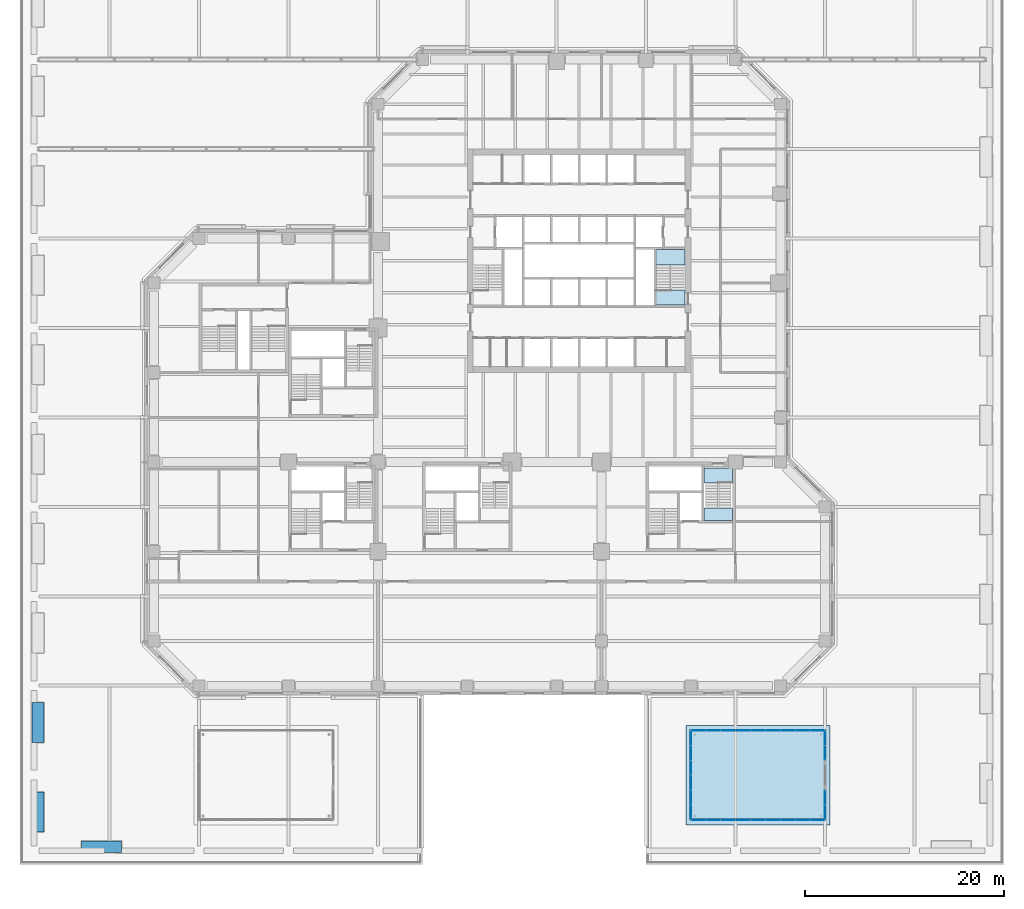
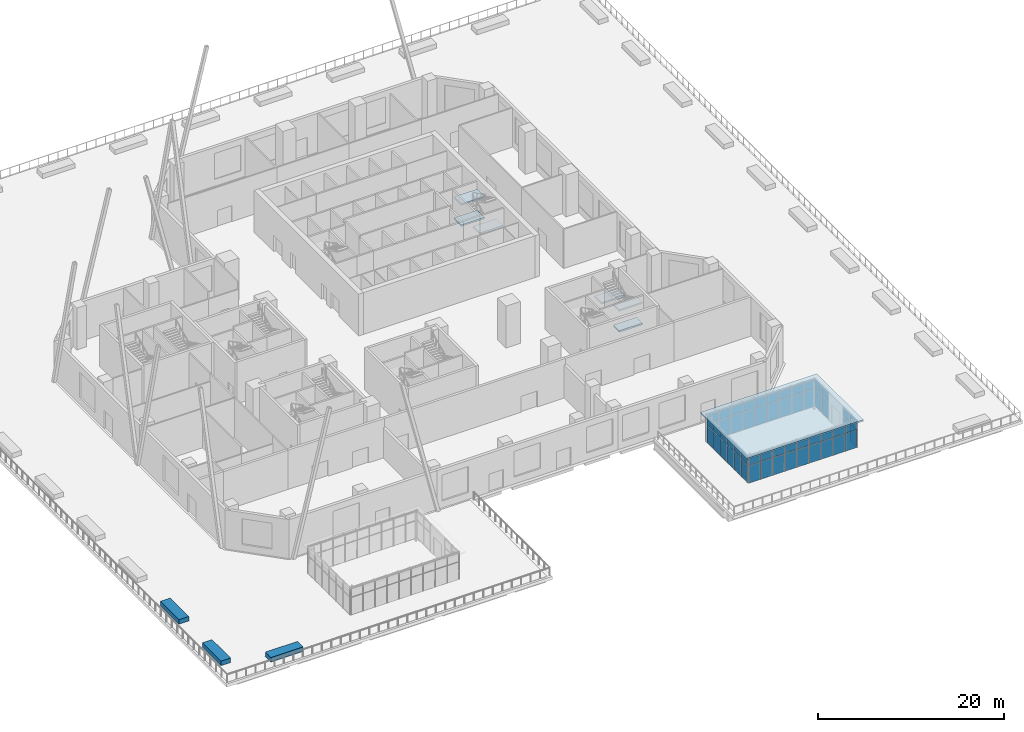
# One storey, part 19 of 33: 56 plates, 7 slabs, 3 walls, 7 elements without a shape of their own.
"""IFC4 building model written with IfcOpenShell, lengths in metres."""

import ifcopenshell
import ifcopenshell.guid

model = None  # the IFC model being written
_history = None  # IfcOwnerHistory: only IFC2X3 demands one
_inside = {}  # id of a spatial element -> (the spatial element, [elements in it])
_under = {}  # id of a project, library or spatial element -> (it, [spatial elements below it])
_declared = {}  # id of a project -> (the project, [libraries it declares])
_typed = {}  # id of a type object -> (the type object, [elements of that type])
_made_of = {}  # id of a material, layer set ... -> (it, [elements and type objects made of it])


def new_model(schema):
    """Start an empty IFC model of exactly this schema.

    Asked for "IFC4X3", IfcOpenShell would pick the latest addendum, in which some entities
    have other attributes; the version numbers below select the first issue.
    IFC2X3 requires an IfcOwnerHistory on every rooted entity: one is made here for all.
    """
    global model, _history
    if schema == "IFC4X3":
        model = ifcopenshell.file(schema_version=(4, 3, 0, 0))
    else:
        model = ifcopenshell.file(schema=schema)
    _inside.clear()
    _under.clear()
    _declared.clear()
    _typed.clear()
    _made_of.clear()
    _history = None
    if model.schema == "IFC2X3":
        org = make("IfcOrganization", Name="unknown")
        user = make(
            "IfcPersonAndOrganization",
            ThePerson=make("IfcPerson", FamilyName="unknown"),
            TheOrganization=org,
        )
        app = make(
            "IfcApplication",
            ApplicationDeveloper=org,
            Version="unknown",
            ApplicationFullName="unknown",
            ApplicationIdentifier="unknown",
        )
        _history = make(
            "IfcOwnerHistory",
            OwningUser=user,
            OwningApplication=app,
            ChangeAction="ADDED",
            CreationDate=0,
        )
    return model


def make(cls, **values):
    """One entity of the class cls with the attributes given. An attribute that is None is left unset."""
    return model.create_entity(
        cls, **{name: value for name, value in values.items() if value is not None}
    )


def rooted(cls, **values):
    """An entity with a GlobalId (a new one), such as an element, a storey or a relation."""
    return make(cls, GlobalId=ifcopenshell.guid.new(), OwnerHistory=_history, **values)


def si_unit(unit_type, name, prefix=None):
    """IfcSIUnit, for example si_unit("LENGTHUNIT", "METRE", prefix="MILLI")."""
    return make("IfcSIUnit", UnitType=unit_type, Prefix=prefix, Name=name)


def assignment(units):
    """IfcUnitAssignment: the units of a project."""
    return None if units is None else make("IfcUnitAssignment", Units=units)


def point(xyz):
    """IfcCartesianPoint."""
    return None if xyz is None else make("IfcCartesianPoint", Coordinates=xyz)


def direction(xyz):
    """IfcDirection."""
    return None if xyz is None else make("IfcDirection", DirectionRatios=xyz)


def frame(location, z_axis=None, x_axis=None):
    """IfcAxis2Placement3D, a coordinate frame: its origin and axes. An axis left out is left unset."""
    return make(
        "IfcAxis2Placement3D",
        Location=point(location),
        Axis=direction(z_axis),
        RefDirection=direction(x_axis),
    )


def frame_2d(location, x_axis=None):
    """IfcAxis2Placement2D, a coordinate frame in the plane: its origin and x axis."""
    return make(
        "IfcAxis2Placement2D", Location=point(location), RefDirection=direction(x_axis)
    )


def origin():
    """The frame at (0, 0, 0) with its axes left unset."""
    return frame((0.0, 0.0, 0.0))


def origin_2d():
    """The frame at (0, 0) in the plane with its x axis left unset."""
    return frame_2d((0.0, 0.0))


def place(relative_to, where):
    """IfcLocalPlacement: puts the frame where relative to a parent placement (None: the world)."""
    return make(
        "IfcLocalPlacement", PlacementRelTo=relative_to, RelativePlacement=where
    )


def context(
    kind, dimensions, precision=None, world=None, true_north=None, identifier=None
):
    """IfcGeometricRepresentationContext, for example the 3D "Model" context."""
    return make(
        "IfcGeometricRepresentationContext",
        ContextIdentifier=identifier,
        ContextType=kind,
        CoordinateSpaceDimension=dimensions,
        Precision=precision,
        WorldCoordinateSystem=world,
        TrueNorth=true_north,
    )


def subcontext(parent, identifier, kind, view, scale=None):
    """IfcGeometricRepresentationSubContext, for example "Body" below "Model"."""
    return make(
        "IfcGeometricRepresentationSubContext",
        ContextIdentifier=identifier,
        ContextType=kind,
        ParentContext=parent,
        TargetScale=scale,
        TargetView=view,
    )


def project(units=None, contexts=None):
    """IfcProject with its units and contexts."""
    return rooted(
        "IfcProject",
        Name="project",
        RepresentationContexts=contexts,
        UnitsInContext=assignment(units),
    )


def spatial(cls, under=None, at=None, **own):
    """A site, building, storey or space (cls), placed at a placement, below another one or the project."""
    s = rooted(cls, ObjectPlacement=at, **own)
    if under is not None:
        _under.setdefault(under.id(), (under, []))[1].append(s)
    return s


def polyline(points):
    """IfcPolyline through the points."""
    return make("IfcPolyline", Points=[point(p) for p in points])


def profile(cls, at=None, kind="AREA", **sizes):
    """A parametric profile (cls). Its sizes go by their IFC names, for example OverallWidth=200.0."""
    return make(cls, ProfileType=kind, Position=at, **sizes)


def rectangle(**sizes):
    """IfcRectangleProfileDef."""
    return profile("IfcRectangleProfileDef", **sizes)


def outline(outer, holes=None, kind="AREA"):
    """IfcArbitraryClosedProfileDef: a profile drawn as a closed curve; with holes, ...WithVoids."""
    if holes is None:
        return make("IfcArbitraryClosedProfileDef", ProfileType=kind, OuterCurve=outer)
    return make(
        "IfcArbitraryProfileDefWithVoids",
        ProfileType=kind,
        OuterCurve=outer,
        InnerCurves=holes,
    )


def extrude(swept, where, along, depth):
    """IfcExtrudedAreaSolid: the profile swept, set in the frame where, extruded along a direction by depth."""
    return make(
        "IfcExtrudedAreaSolid",
        SweptArea=swept,
        Position=where,
        ExtrudedDirection=direction(along),
        Depth=depth,
    )


def shape(context_of_items, identifier, shape_type, items):
    """IfcShapeRepresentation: the items that make up one representation, for example the "Body"."""
    return make(
        "IfcShapeRepresentation",
        ContextOfItems=context_of_items,
        RepresentationIdentifier=identifier,
        RepresentationType=shape_type,
        Items=items,
    )


def material(Name=None, Category=None):
    """IfcMaterial."""
    return make("IfcMaterial", Name=Name, Category=Category)


def layer(
    of_material, thickness, ventilated=None, Name=None, Category=None, Priority=None
):
    """IfcMaterialLayer: one layer of a wall or slab, of a material (None: an air gap)."""
    return make(
        "IfcMaterialLayer",
        Material=of_material,
        LayerThickness=thickness,
        IsVentilated=ventilated,
        Name=Name,
        Category=Category,
        Priority=Priority,
    )


def layer_set(layers, Name=None):
    """IfcMaterialLayerSet."""
    return make("IfcMaterialLayerSet", MaterialLayers=layers, LayerSetName=Name)


def constituent(of_material, Name=None, Category=None, fraction=None):
    """IfcMaterialConstituent: one of the materials an element consists of."""
    return make(
        "IfcMaterialConstituent",
        Name=Name,
        Material=of_material,
        Fraction=fraction,
        Category=Category,
    )


def constituent_set(constituents=None, Name=None):
    """IfcMaterialConstituentSet."""
    return make(
        "IfcMaterialConstituentSet", Name=Name, MaterialConstituents=constituents
    )


def made_of(thing, what):
    """Note that an element or type object is made of a material, layer set ...; save() writes the relation."""
    if what is not None:
        _made_of.setdefault(what.id(), (what, []))[1].append(thing)
    return thing


def type_object(cls, material=None, **own):
    """A type object (cls), such as IfcWallType, which elements share."""
    return made_of(rooted(cls, **own), material)


def element(
    cls,
    number,
    at=None,
    inside=None,
    cuts=None,
    type_object=None,
    material=None,
    context=None,
    identifier="Body",
    shape_type=None,
    held_by="IfcProductDefinitionShape",
    body=None,
    shapes=None,
    **own,
):
    """One element of the class cls, such as IfcWall. Its Tag is "e" and its number.

    at: its placement. inside: the storey or other place that contains it. cuts: it is an
    opening in that element (IfcRelVoidsElement). A single representation is given by context,
    identifier, shape_type and body (its items); several are given by shapes. held_by: the class
    of the entity that holds the representations. save() writes the other relations.
    """
    e = rooted(cls, Tag="e%d" % number, ObjectPlacement=at, **own)
    if body is not None:
        shapes = [shape(context, identifier, shape_type, body)]
    if shapes is not None:
        e.Representation = make(held_by, Representations=shapes)
    if inside is not None:
        _inside.setdefault(inside.id(), (inside, []))[1].append(e)
    if cuts is not None:
        rooted(
            "IfcRelVoidsElement", RelatingBuildingElement=cuts, RelatedOpeningElement=e
        )
    if type_object is not None:
        _typed.setdefault(type_object.id(), (type_object, []))[1].append(e)
    return made_of(e, material)


def aggregate(whole, parts):
    """IfcRelAggregates: a whole, such as a stair, and the parts it consists of."""
    return rooted("IfcRelAggregates", RelatingObject=whole, RelatedObjects=parts)


def save(model, path):
    """Write the relations noted so far, then the file.

    IfcRelAggregates (storeys below a building ...), IfcRelContainedInSpatialStructure (elements
    in a storey), IfcRelDefinesByType, IfcRelAssociatesMaterial and IfcRelDeclares: one each for
    every whole, place, type object, material and project.
    """
    for whole, parts in _under.values():
        aggregate(whole, parts)
    for where, things in _inside.values():
        rooted(
            "IfcRelContainedInSpatialStructure",
            RelatedElements=things,
            RelatingStructure=where,
        )
    for kind, things in _typed.values():
        rooted("IfcRelDefinesByType", RelatedObjects=things, RelatingType=kind)
    for what, things in _made_of.values():
        rooted("IfcRelAssociatesMaterial", RelatedObjects=things, RelatingMaterial=what)
    for by, libraries in _declared.values():
        rooted("IfcRelDeclares", RelatingContext=by, RelatedDefinitions=libraries)
    model.write(path)


model = new_model("IFC4")

# Units and contexts
model_context = context("Model", 3, precision=1e-05, world=origin(), true_north=direction((0.0, 1.0)))
body_context = subcontext(model_context, "Body", "Model", "MODEL_VIEW")
ifc_project = project(units=[si_unit("LENGTHUNIT", "METRE"), si_unit("AREAUNIT", "SQUARE_METRE"), si_unit("VOLUMEUNIT", "CUBIC_METRE"), si_unit("PLANEANGLEUNIT", "RADIAN"), si_unit("MASSUNIT", "GRAM", prefix="KILO")], contexts=[model_context])

# Site, building, storey
site_placement = place(None, origin())
site = spatial("IfcSite", under=ifc_project, at=site_placement, CompositionType="ELEMENT")
building_placement = place(site_placement, origin())
building = spatial("IfcBuilding", under=site, at=building_placement, Name="Quoin Convention Tower", CompositionType="ELEMENT")
storey_placement = place(building_placement, frame((0.0, 0.0, 8.0)))
storey = spatial("IfcBuildingStorey", under=building, at=storey_placement, Name="L01", CompositionType="ELEMENT", Elevation=8.0)

# Curtain wall, plates
ifc_material_1 = material(Name="Aluminium", Category="aluminium")
ifc_constituent_1 = constituent(ifc_material_1, Name="Frame")
ifc_material_2 = material(Name="Insulated glass", Category="glass")
ifc_constituent_2 = constituent(ifc_material_2, Name="Glazing")
ifc_constituent_set = constituent_set(constituents=[ifc_constituent_1, ifc_constituent_2], Name="Aluminium")
curtain_wall_type = type_object("IfcCurtainWallType", Name="Garden pavilion glazing system", PredefinedType="NOTDEFINED", material=ifc_constituent_set)
curtain_wall_1_placement = place(storey_placement, origin())
curtain_wall_1 = element("IfcCurtainWall", 1, at=curtain_wall_1_placement, inside=storey, type_object=curtain_wall_type, Name="cw-PAV-E0-81000_4500", PredefinedType="NOTDEFINED")
ifc_layer_1 = layer(ifc_material_2, 0.031982421875)
ifc_layer_set_1 = layer_set([ifc_layer_1], Name="Insulated glass")
plate_type = type_object("IfcPlateType", Name="Garden pavilion glazing glazing unit 32", PredefinedType="CURTAIN_PANEL", material=ifc_layer_set_1)
plate_1_placement = place(storey_placement, frame((81.0, 5.262451171875, 0.0400390625), z_axis=(0.0, 0.0, 1.0), x_axis=(0.0, 1.0, 0.0)))
plate_1 = element("IfcPlate", 2, at=plate_1_placement, type_object=plate_type, Name="CW4 panel 1.1", PredefinedType="CURTAIN_PANEL", context=body_context, shape_type="SweptSolid", body=[
    extrude(rectangle(XDim=1.425048828125, YDim=0.031982421875, at=origin_2d()), origin(), (0.0, 0.0, 1.0), 2.340087890625),
])
plate_2_placement = place(storey_placement, frame((81.0, 5.262451171875, 2.419921875), z_axis=(0.0, 0.0, 1.0), x_axis=(0.0, 1.0, 0.0)))
plate_2 = element("IfcPlate", 3, at=plate_2_placement, type_object=plate_type, Name="CW4 panel 1.2", PredefinedType="CURTAIN_PANEL", context=body_context, shape_type="SweptSolid", body=[
    extrude(rectangle(XDim=1.425048828125, YDim=0.031982421875, at=origin_2d()), origin(), (0.0, 0.0, 1.0), 1.139892578125),
])
plate_3_placement = place(storey_placement, frame((81.0, 6.737548828125, 0.0400390625), z_axis=(0.0, 0.0, 1.0), x_axis=(0.0, 1.0, 0.0)))
plate_3 = element("IfcPlate", 4, at=plate_3_placement, type_object=plate_type, Name="CW4 panel 2.1", PredefinedType="CURTAIN_PANEL", context=body_context, shape_type="SweptSolid", body=[
    extrude(rectangle(XDim=1.425048828125, YDim=0.031982421875, at=origin_2d()), origin(), (0.0, 0.0, 1.0), 2.340087890625),
])
plate_4_placement = place(storey_placement, frame((81.0, 6.737548828125, 2.419921875), z_axis=(0.0, 0.0, 1.0), x_axis=(0.0, 1.0, 0.0)))
plate_4 = element("IfcPlate", 5, at=plate_4_placement, type_object=plate_type, Name="CW4 panel 2.2", PredefinedType="CURTAIN_PANEL", context=body_context, shape_type="SweptSolid", body=[
    extrude(rectangle(XDim=1.425048828125, YDim=0.031982421875, at=origin_2d()), origin(), (0.0, 0.0, 1.0), 1.139892578125),
])
aggregate(curtain_wall_1, [plate_1, plate_2, plate_3, plate_4])

curtain_wall_2_placement = place(storey_placement, origin())
curtain_wall_2 = element("IfcCurtainWall", 6, at=curtain_wall_2_placement, inside=storey, type_object=curtain_wall_type, Name="cw-PAV-E0-81000_10500", PredefinedType="NOTDEFINED")
plate_5_placement = place(storey_placement, frame((81.0, 11.262451171875, 0.0400390625), z_axis=(0.0, 0.0, 1.0), x_axis=(0.0, 1.0, 0.0)))
plate_5 = element("IfcPlate", 7, at=plate_5_placement, type_object=plate_type, Name="CW4 panel 1.1", PredefinedType="CURTAIN_PANEL", context=body_context, shape_type="SweptSolid", body=[
    extrude(rectangle(XDim=1.425048828125, YDim=0.031982421875, at=origin_2d()), origin(), (0.0, 0.0, 1.0), 2.340087890625),
])
plate_6_placement = place(storey_placement, frame((81.0, 11.262451171875, 2.419921875), z_axis=(0.0, 0.0, 1.0), x_axis=(0.0, 1.0, 0.0)))
plate_6 = element("IfcPlate", 8, at=plate_6_placement, type_object=plate_type, Name="CW4 panel 1.2", PredefinedType="CURTAIN_PANEL", context=body_context, shape_type="SweptSolid", body=[
    extrude(rectangle(XDim=1.425048828125, YDim=0.031982421875, at=origin_2d()), origin(), (0.0, 0.0, 1.0), 1.139892578125),
])
plate_7_placement = place(storey_placement, frame((81.0, 12.737548828125, 0.0400390625), z_axis=(0.0, 0.0, 1.0), x_axis=(0.0, 1.0, 0.0)))
plate_7 = element("IfcPlate", 9, at=plate_7_placement, type_object=plate_type, Name="CW4 panel 2.1", PredefinedType="CURTAIN_PANEL", context=body_context, shape_type="SweptSolid", body=[
    extrude(rectangle(XDim=1.425048828125, YDim=0.031982421875, at=origin_2d()), origin(), (0.0, 0.0, 1.0), 2.340087890625),
])
plate_8_placement = place(storey_placement, frame((81.0, 12.737548828125, 2.419921875), z_axis=(0.0, 0.0, 1.0), x_axis=(0.0, 1.0, 0.0)))
plate_8 = element("IfcPlate", 10, at=plate_8_placement, type_object=plate_type, Name="CW4 panel 2.2", PredefinedType="CURTAIN_PANEL", context=body_context, shape_type="SweptSolid", body=[
    extrude(rectangle(XDim=1.425048828125, YDim=0.031982421875, at=origin_2d()), origin(), (0.0, 0.0, 1.0), 1.139892578125),
])
aggregate(curtain_wall_2, [plate_5, plate_6, plate_7, plate_8])

curtain_wall_3_placement = place(storey_placement, origin())
curtain_wall_3 = element("IfcCurtainWall", 11, at=curtain_wall_3_placement, inside=storey, type_object=curtain_wall_type, Name="cw-PAV-E1-81000_13500", PredefinedType="NOTDEFINED")
plate_9_placement = place(storey_placement, frame((80.237548828125, 13.5, 0.0400390625), z_axis=(0.0, 0.0, 1.0), x_axis=(-1.0, 0.0, 0.0)))
plate_9 = element("IfcPlate", 12, at=plate_9_placement, type_object=plate_type, Name="CW4 panel 1.1", PredefinedType="CURTAIN_PANEL", context=body_context, shape_type="SweptSolid", body=[
    extrude(rectangle(XDim=1.425048828125, YDim=0.031982421875, at=origin_2d()), origin(), (0.0, 0.0, 1.0), 2.340087890625),
])
plate_10_placement = place(storey_placement, frame((80.237548828125, 13.5, 2.419921875), z_axis=(0.0, 0.0, 1.0), x_axis=(-1.0, 0.0, 0.0)))
plate_10 = element("IfcPlate", 13, at=plate_10_placement, type_object=plate_type, Name="CW4 panel 1.2", PredefinedType="CURTAIN_PANEL", context=body_context, shape_type="SweptSolid", body=[
    extrude(rectangle(XDim=1.425048828125, YDim=0.031982421875, at=origin_2d()), origin(), (0.0, 0.0, 1.0), 1.139892578125),
])
plate_11_placement = place(storey_placement, frame((78.75, 13.5, 0.0400390625), z_axis=(0.0, 0.0, 1.0), x_axis=(-1.0, 0.0, 0.0)))
plate_11 = element("IfcPlate", 14, at=plate_11_placement, type_object=plate_type, Name="CW4 panel 2.1", PredefinedType="CURTAIN_PANEL", context=body_context, shape_type="SweptSolid", body=[
    extrude(rectangle(XDim=1.449951171875, YDim=0.031982421875, at=origin_2d()), origin(), (0.0, 0.0, 1.0), 2.340087890625),
])
plate_12_placement = place(storey_placement, frame((78.75, 13.5, 2.419921875), z_axis=(0.0, 0.0, 1.0), x_axis=(-1.0, 0.0, 0.0)))
plate_12 = element("IfcPlate", 15, at=plate_12_placement, type_object=plate_type, Name="CW4 panel 2.2", PredefinedType="CURTAIN_PANEL", context=body_context, shape_type="SweptSolid", body=[
    extrude(rectangle(XDim=1.449951171875, YDim=0.031982421875, at=origin_2d()), origin(), (0.0, 0.0, 1.0), 1.139892578125),
])
plate_13_placement = place(storey_placement, frame((77.25, 13.5, 0.0400390625), z_axis=(0.0, 0.0, 1.0), x_axis=(-1.0, 0.0, 0.0)))
plate_13 = element("IfcPlate", 16, at=plate_13_placement, type_object=plate_type, Name="CW4 panel 3.1", PredefinedType="CURTAIN_PANEL", context=body_context, shape_type="SweptSolid", body=[
    extrude(rectangle(XDim=1.449951171875, YDim=0.031982421875, at=origin_2d()), origin(), (0.0, 0.0, 1.0), 2.340087890625),
])
plate_14_placement = place(storey_placement, frame((77.25, 13.5, 2.419921875), z_axis=(0.0, 0.0, 1.0), x_axis=(-1.0, 0.0, 0.0)))
plate_14 = element("IfcPlate", 17, at=plate_14_placement, type_object=plate_type, Name="CW4 panel 3.2", PredefinedType="CURTAIN_PANEL", context=body_context, shape_type="SweptSolid", body=[
    extrude(rectangle(XDim=1.449951171875, YDim=0.031982421875, at=origin_2d()), origin(), (0.0, 0.0, 1.0), 1.139892578125),
])
plate_15_placement = place(storey_placement, frame((75.75, 13.5, 0.0400390625), z_axis=(0.0, 0.0, 1.0), x_axis=(-1.0, 0.0, 0.0)))
plate_15 = element("IfcPlate", 18, at=plate_15_placement, type_object=plate_type, Name="CW4 panel 4.1", PredefinedType="CURTAIN_PANEL", context=body_context, shape_type="SweptSolid", body=[
    extrude(rectangle(XDim=1.449951171875, YDim=0.031982421875, at=origin_2d()), origin(), (0.0, 0.0, 1.0), 2.340087890625),
])
plate_16_placement = place(storey_placement, frame((75.75, 13.5, 2.419921875), z_axis=(0.0, 0.0, 1.0), x_axis=(-1.0, 0.0, 0.0)))
plate_16 = element("IfcPlate", 19, at=plate_16_placement, type_object=plate_type, Name="CW4 panel 4.2", PredefinedType="CURTAIN_PANEL", context=body_context, shape_type="SweptSolid", body=[
    extrude(rectangle(XDim=1.449951171875, YDim=0.031982421875, at=origin_2d()), origin(), (0.0, 0.0, 1.0), 1.139892578125),
])
plate_17_placement = place(storey_placement, frame((74.25, 13.5, 0.0400390625), z_axis=(0.0, 0.0, 1.0), x_axis=(-1.0, 0.0, 0.0)))
plate_17 = element("IfcPlate", 20, at=plate_17_placement, type_object=plate_type, Name="CW4 panel 5.1", PredefinedType="CURTAIN_PANEL", context=body_context, shape_type="SweptSolid", body=[
    extrude(rectangle(XDim=1.449951171875, YDim=0.031982421875, at=origin_2d()), origin(), (0.0, 0.0, 1.0), 2.340087890625),
])
plate_18_placement = place(storey_placement, frame((74.25, 13.5, 2.419921875), z_axis=(0.0, 0.0, 1.0), x_axis=(-1.0, 0.0, 0.0)))
plate_18 = element("IfcPlate", 21, at=plate_18_placement, type_object=plate_type, Name="CW4 panel 5.2", PredefinedType="CURTAIN_PANEL", context=body_context, shape_type="SweptSolid", body=[
    extrude(rectangle(XDim=1.449951171875, YDim=0.031982421875, at=origin_2d()), origin(), (0.0, 0.0, 1.0), 1.139892578125),
])
plate_19_placement = place(storey_placement, frame((72.75, 13.5, 0.0400390625), z_axis=(0.0, 0.0, 1.0), x_axis=(-1.0, 0.0, 0.0)))
plate_19 = element("IfcPlate", 22, at=plate_19_placement, type_object=plate_type, Name="CW4 panel 6.1", PredefinedType="CURTAIN_PANEL", context=body_context, shape_type="SweptSolid", body=[
    extrude(rectangle(XDim=1.449951171875, YDim=0.031982421875, at=origin_2d()), origin(), (0.0, 0.0, 1.0), 2.340087890625),
])
plate_20_placement = place(storey_placement, frame((72.75, 13.5, 2.419921875), z_axis=(0.0, 0.0, 1.0), x_axis=(-1.0, 0.0, 0.0)))
plate_20 = element("IfcPlate", 23, at=plate_20_placement, type_object=plate_type, Name="CW4 panel 6.2", PredefinedType="CURTAIN_PANEL", context=body_context, shape_type="SweptSolid", body=[
    extrude(rectangle(XDim=1.449951171875, YDim=0.031982421875, at=origin_2d()), origin(), (0.0, 0.0, 1.0), 1.139892578125),
])
plate_21_placement = place(storey_placement, frame((71.25, 13.5, 0.0400390625), z_axis=(0.0, 0.0, 1.0), x_axis=(-1.0, 0.0, 0.0)))
plate_21 = element("IfcPlate", 24, at=plate_21_placement, type_object=plate_type, Name="CW4 panel 7.1", PredefinedType="CURTAIN_PANEL", context=body_context, shape_type="SweptSolid", body=[
    extrude(rectangle(XDim=1.449951171875, YDim=0.031982421875, at=origin_2d()), origin(), (0.0, 0.0, 1.0), 2.340087890625),
])
plate_22_placement = place(storey_placement, frame((71.25, 13.5, 2.419921875), z_axis=(0.0, 0.0, 1.0), x_axis=(-1.0, 0.0, 0.0)))
plate_22 = element("IfcPlate", 25, at=plate_22_placement, type_object=plate_type, Name="CW4 panel 7.2", PredefinedType="CURTAIN_PANEL", context=body_context, shape_type="SweptSolid", body=[
    extrude(rectangle(XDim=1.449951171875, YDim=0.031982421875, at=origin_2d()), origin(), (0.0, 0.0, 1.0), 1.139892578125),
])
plate_23_placement = place(storey_placement, frame((69.75, 13.5, 0.0400390625), z_axis=(0.0, 0.0, 1.0), x_axis=(-1.0, 0.0, 0.0)))
plate_23 = element("IfcPlate", 26, at=plate_23_placement, type_object=plate_type, Name="CW4 panel 8.1", PredefinedType="CURTAIN_PANEL", context=body_context, shape_type="SweptSolid", body=[
    extrude(rectangle(XDim=1.449951171875, YDim=0.031982421875, at=origin_2d()), origin(), (0.0, 0.0, 1.0), 2.340087890625),
])
plate_24_placement = place(storey_placement, frame((69.75, 13.5, 2.419921875), z_axis=(0.0, 0.0, 1.0), x_axis=(-1.0, 0.0, 0.0)))
plate_24 = element("IfcPlate", 27, at=plate_24_placement, type_object=plate_type, Name="CW4 panel 8.2", PredefinedType="CURTAIN_PANEL", context=body_context, shape_type="SweptSolid", body=[
    extrude(rectangle(XDim=1.449951171875, YDim=0.031982421875, at=origin_2d()), origin(), (0.0, 0.0, 1.0), 1.139892578125),
])
plate_25_placement = place(storey_placement, frame((68.262451171875, 13.5, 0.0400390625), z_axis=(0.0, 0.0, 1.0), x_axis=(-1.0, 0.0, 0.0)))
plate_25 = element("IfcPlate", 28, at=plate_25_placement, type_object=plate_type, Name="CW4 panel 9.1", PredefinedType="CURTAIN_PANEL", context=body_context, shape_type="SweptSolid", body=[
    extrude(rectangle(XDim=1.425048828125, YDim=0.031982421875, at=origin_2d()), origin(), (0.0, 0.0, 1.0), 2.340087890625),
])
plate_26_placement = place(storey_placement, frame((68.262451171875, 13.5, 2.419921875), z_axis=(0.0, 0.0, 1.0), x_axis=(-1.0, 0.0, 0.0)))
plate_26 = element("IfcPlate", 29, at=plate_26_placement, type_object=plate_type, Name="CW4 panel 9.2", PredefinedType="CURTAIN_PANEL", context=body_context, shape_type="SweptSolid", body=[
    extrude(rectangle(XDim=1.425048828125, YDim=0.031982421875, at=origin_2d()), origin(), (0.0, 0.0, 1.0), 1.139892578125),
])
aggregate(curtain_wall_3, [plate_9, plate_10, plate_11, plate_12, plate_13, plate_14, plate_15, plate_16, plate_17, plate_18, plate_19, plate_20, plate_21, plate_22, plate_23, plate_24, plate_25, plate_26])

curtain_wall_4_placement = place(storey_placement, origin())
curtain_wall_4 = element("IfcCurtainWall", 30, at=curtain_wall_4_placement, inside=storey, type_object=curtain_wall_type, Name="cw-PAV-E2-67500_13500", PredefinedType="NOTDEFINED")
plate_27_placement = place(storey_placement, frame((67.5, 12.737548828125, 0.0400390625), z_axis=(0.0, 0.0, 1.0), x_axis=(0.0, -1.0, 0.0)))
plate_27 = element("IfcPlate", 31, at=plate_27_placement, type_object=plate_type, Name="CW4 panel 1.1", PredefinedType="CURTAIN_PANEL", context=body_context, shape_type="SweptSolid", body=[
    extrude(rectangle(XDim=1.425048828125, YDim=0.031982421875, at=origin_2d()), origin(), (0.0, 0.0, 1.0), 2.340087890625),
])
plate_28_placement = place(storey_placement, frame((67.5, 12.737548828125, 2.419921875), z_axis=(0.0, 0.0, 1.0), x_axis=(0.0, -1.0, 0.0)))
plate_28 = element("IfcPlate", 32, at=plate_28_placement, type_object=plate_type, Name="CW4 panel 1.2", PredefinedType="CURTAIN_PANEL", context=body_context, shape_type="SweptSolid", body=[
    extrude(rectangle(XDim=1.425048828125, YDim=0.031982421875, at=origin_2d()), origin(), (0.0, 0.0, 1.0), 1.139892578125),
])
plate_29_placement = place(storey_placement, frame((67.5, 11.25, 0.0400390625), z_axis=(0.0, 0.0, 1.0), x_axis=(0.0, -1.0, 0.0)))
plate_29 = element("IfcPlate", 33, at=plate_29_placement, type_object=plate_type, Name="CW4 panel 2.1", PredefinedType="CURTAIN_PANEL", context=body_context, shape_type="SweptSolid", body=[
    extrude(rectangle(XDim=1.449951171875, YDim=0.031982421875, at=origin_2d()), origin(), (0.0, 0.0, 1.0), 2.340087890625),
])
plate_30_placement = place(storey_placement, frame((67.5, 11.25, 2.419921875), z_axis=(0.0, 0.0, 1.0), x_axis=(0.0, -1.0, 0.0)))
plate_30 = element("IfcPlate", 34, at=plate_30_placement, type_object=plate_type, Name="CW4 panel 2.2", PredefinedType="CURTAIN_PANEL", context=body_context, shape_type="SweptSolid", body=[
    extrude(rectangle(XDim=1.449951171875, YDim=0.031982421875, at=origin_2d()), origin(), (0.0, 0.0, 1.0), 1.139892578125),
])
plate_31_placement = place(storey_placement, frame((67.5, 9.75, 0.0400390625), z_axis=(0.0, 0.0, 1.0), x_axis=(0.0, -1.0, 0.0)))
plate_31 = element("IfcPlate", 35, at=plate_31_placement, type_object=plate_type, Name="CW4 panel 3.1", PredefinedType="CURTAIN_PANEL", context=body_context, shape_type="SweptSolid", body=[
    extrude(rectangle(XDim=1.449951171875, YDim=0.031982421875, at=origin_2d()), origin(), (0.0, 0.0, 1.0), 2.340087890625),
])
plate_32_placement = place(storey_placement, frame((67.5, 9.75, 2.419921875), z_axis=(0.0, 0.0, 1.0), x_axis=(0.0, -1.0, 0.0)))
plate_32 = element("IfcPlate", 36, at=plate_32_placement, type_object=plate_type, Name="CW4 panel 3.2", PredefinedType="CURTAIN_PANEL", context=body_context, shape_type="SweptSolid", body=[
    extrude(rectangle(XDim=1.449951171875, YDim=0.031982421875, at=origin_2d()), origin(), (0.0, 0.0, 1.0), 1.139892578125),
])
plate_33_placement = place(storey_placement, frame((67.5, 8.25, 0.0400390625), z_axis=(0.0, 0.0, 1.0), x_axis=(0.0, -1.0, 0.0)))
plate_33 = element("IfcPlate", 37, at=plate_33_placement, type_object=plate_type, Name="CW4 panel 4.1", PredefinedType="CURTAIN_PANEL", context=body_context, shape_type="SweptSolid", body=[
    extrude(rectangle(XDim=1.449951171875, YDim=0.031982421875, at=origin_2d()), origin(), (0.0, 0.0, 1.0), 2.340087890625),
])
plate_34_placement = place(storey_placement, frame((67.5, 8.25, 2.419921875), z_axis=(0.0, 0.0, 1.0), x_axis=(0.0, -1.0, 0.0)))
plate_34 = element("IfcPlate", 38, at=plate_34_placement, type_object=plate_type, Name="CW4 panel 4.2", PredefinedType="CURTAIN_PANEL", context=body_context, shape_type="SweptSolid", body=[
    extrude(rectangle(XDim=1.449951171875, YDim=0.031982421875, at=origin_2d()), origin(), (0.0, 0.0, 1.0), 1.139892578125),
])
plate_35_placement = place(storey_placement, frame((67.5, 6.75, 0.0400390625), z_axis=(0.0, 0.0, 1.0), x_axis=(0.0, -1.0, 0.0)))
plate_35 = element("IfcPlate", 39, at=plate_35_placement, type_object=plate_type, Name="CW4 panel 5.1", PredefinedType="CURTAIN_PANEL", context=body_context, shape_type="SweptSolid", body=[
    extrude(rectangle(XDim=1.449951171875, YDim=0.031982421875, at=origin_2d()), origin(), (0.0, 0.0, 1.0), 2.340087890625),
])
plate_36_placement = place(storey_placement, frame((67.5, 6.75, 2.419921875), z_axis=(0.0, 0.0, 1.0), x_axis=(0.0, -1.0, 0.0)))
plate_36 = element("IfcPlate", 40, at=plate_36_placement, type_object=plate_type, Name="CW4 panel 5.2", PredefinedType="CURTAIN_PANEL", context=body_context, shape_type="SweptSolid", body=[
    extrude(rectangle(XDim=1.449951171875, YDim=0.031982421875, at=origin_2d()), origin(), (0.0, 0.0, 1.0), 1.139892578125),
])
plate_37_placement = place(storey_placement, frame((67.5, 5.262451171875, 0.0400390625), z_axis=(0.0, 0.0, 1.0), x_axis=(0.0, -1.0, 0.0)))
plate_37 = element("IfcPlate", 41, at=plate_37_placement, type_object=plate_type, Name="CW4 panel 6.1", PredefinedType="CURTAIN_PANEL", context=body_context, shape_type="SweptSolid", body=[
    extrude(rectangle(XDim=1.425048828125, YDim=0.031982421875, at=origin_2d()), origin(), (0.0, 0.0, 1.0), 2.340087890625),
])
plate_38_placement = place(storey_placement, frame((67.5, 5.262451171875, 2.419921875), z_axis=(0.0, 0.0, 1.0), x_axis=(0.0, -1.0, 0.0)))
plate_38 = element("IfcPlate", 42, at=plate_38_placement, type_object=plate_type, Name="CW4 panel 6.2", PredefinedType="CURTAIN_PANEL", context=body_context, shape_type="SweptSolid", body=[
    extrude(rectangle(XDim=1.425048828125, YDim=0.031982421875, at=origin_2d()), origin(), (0.0, 0.0, 1.0), 1.139892578125),
])
aggregate(curtain_wall_4, [plate_27, plate_28, plate_29, plate_30, plate_31, plate_32, plate_33, plate_34, plate_35, plate_36, plate_37, plate_38])

curtain_wall_5_placement = place(storey_placement, origin())
curtain_wall_5 = element("IfcCurtainWall", 43, at=curtain_wall_5_placement, inside=storey, type_object=curtain_wall_type, Name="cw-PAV-E3-67500_4500", PredefinedType="NOTDEFINED")
plate_39_placement = place(storey_placement, frame((68.262451171875, 4.5, 0.0400390625), z_axis=(0.0, 0.0, 1.0), x_axis=(1.0, 0.0, 0.0)))
plate_39 = element("IfcPlate", 44, at=plate_39_placement, type_object=plate_type, Name="CW4 panel 1.1", PredefinedType="CURTAIN_PANEL", context=body_context, shape_type="SweptSolid", body=[
    extrude(rectangle(XDim=1.425048828125, YDim=0.031982421875, at=origin_2d()), origin(), (0.0, 0.0, 1.0), 2.340087890625),
])
plate_40_placement = place(storey_placement, frame((68.262451171875, 4.5, 2.419921875), z_axis=(0.0, 0.0, 1.0), x_axis=(1.0, 0.0, 0.0)))
plate_40 = element("IfcPlate", 45, at=plate_40_placement, type_object=plate_type, Name="CW4 panel 1.2", PredefinedType="CURTAIN_PANEL", context=body_context, shape_type="SweptSolid", body=[
    extrude(rectangle(XDim=1.425048828125, YDim=0.031982421875, at=origin_2d()), origin(), (0.0, 0.0, 1.0), 1.139892578125),
])
plate_41_placement = place(storey_placement, frame((69.75, 4.5, 0.0400390625), z_axis=(0.0, 0.0, 1.0), x_axis=(1.0, 0.0, 0.0)))
plate_41 = element("IfcPlate", 46, at=plate_41_placement, type_object=plate_type, Name="CW4 panel 2.1", PredefinedType="CURTAIN_PANEL", context=body_context, shape_type="SweptSolid", body=[
    extrude(rectangle(XDim=1.449951171875, YDim=0.031982421875, at=origin_2d()), origin(), (0.0, 0.0, 1.0), 2.340087890625),
])
plate_42_placement = place(storey_placement, frame((69.75, 4.5, 2.419921875), z_axis=(0.0, 0.0, 1.0), x_axis=(1.0, 0.0, 0.0)))
plate_42 = element("IfcPlate", 47, at=plate_42_placement, type_object=plate_type, Name="CW4 panel 2.2", PredefinedType="CURTAIN_PANEL", context=body_context, shape_type="SweptSolid", body=[
    extrude(rectangle(XDim=1.449951171875, YDim=0.031982421875, at=origin_2d()), origin(), (0.0, 0.0, 1.0), 1.139892578125),
])
plate_43_placement = place(storey_placement, frame((71.25, 4.5, 0.0400390625), z_axis=(0.0, 0.0, 1.0), x_axis=(1.0, 0.0, 0.0)))
plate_43 = element("IfcPlate", 48, at=plate_43_placement, type_object=plate_type, Name="CW4 panel 3.1", PredefinedType="CURTAIN_PANEL", context=body_context, shape_type="SweptSolid", body=[
    extrude(rectangle(XDim=1.449951171875, YDim=0.031982421875, at=origin_2d()), origin(), (0.0, 0.0, 1.0), 2.340087890625),
])
plate_44_placement = place(storey_placement, frame((71.25, 4.5, 2.419921875), z_axis=(0.0, 0.0, 1.0), x_axis=(1.0, 0.0, 0.0)))
plate_44 = element("IfcPlate", 49, at=plate_44_placement, type_object=plate_type, Name="CW4 panel 3.2", PredefinedType="CURTAIN_PANEL", context=body_context, shape_type="SweptSolid", body=[
    extrude(rectangle(XDim=1.449951171875, YDim=0.031982421875, at=origin_2d()), origin(), (0.0, 0.0, 1.0), 1.139892578125),
])
plate_45_placement = place(storey_placement, frame((72.75, 4.5, 0.0400390625), z_axis=(0.0, 0.0, 1.0), x_axis=(1.0, 0.0, 0.0)))
plate_45 = element("IfcPlate", 50, at=plate_45_placement, type_object=plate_type, Name="CW4 panel 4.1", PredefinedType="CURTAIN_PANEL", context=body_context, shape_type="SweptSolid", body=[
    extrude(rectangle(XDim=1.449951171875, YDim=0.031982421875, at=origin_2d()), origin(), (0.0, 0.0, 1.0), 2.340087890625),
])
plate_46_placement = place(storey_placement, frame((72.75, 4.5, 2.419921875), z_axis=(0.0, 0.0, 1.0), x_axis=(1.0, 0.0, 0.0)))
plate_46 = element("IfcPlate", 51, at=plate_46_placement, type_object=plate_type, Name="CW4 panel 4.2", PredefinedType="CURTAIN_PANEL", context=body_context, shape_type="SweptSolid", body=[
    extrude(rectangle(XDim=1.449951171875, YDim=0.031982421875, at=origin_2d()), origin(), (0.0, 0.0, 1.0), 1.139892578125),
])
plate_47_placement = place(storey_placement, frame((74.25, 4.5, 0.0400390625), z_axis=(0.0, 0.0, 1.0), x_axis=(1.0, 0.0, 0.0)))
plate_47 = element("IfcPlate", 52, at=plate_47_placement, type_object=plate_type, Name="CW4 panel 5.1", PredefinedType="CURTAIN_PANEL", context=body_context, shape_type="SweptSolid", body=[
    extrude(rectangle(XDim=1.449951171875, YDim=0.031982421875, at=origin_2d()), origin(), (0.0, 0.0, 1.0), 2.340087890625),
])
plate_48_placement = place(storey_placement, frame((74.25, 4.5, 2.419921875), z_axis=(0.0, 0.0, 1.0), x_axis=(1.0, 0.0, 0.0)))
plate_48 = element("IfcPlate", 53, at=plate_48_placement, type_object=plate_type, Name="CW4 panel 5.2", PredefinedType="CURTAIN_PANEL", context=body_context, shape_type="SweptSolid", body=[
    extrude(rectangle(XDim=1.449951171875, YDim=0.031982421875, at=origin_2d()), origin(), (0.0, 0.0, 1.0), 1.139892578125),
])
plate_49_placement = place(storey_placement, frame((75.75, 4.5, 0.0400390625), z_axis=(0.0, 0.0, 1.0), x_axis=(1.0, 0.0, 0.0)))
plate_49 = element("IfcPlate", 54, at=plate_49_placement, type_object=plate_type, Name="CW4 panel 6.1", PredefinedType="CURTAIN_PANEL", context=body_context, shape_type="SweptSolid", body=[
    extrude(rectangle(XDim=1.449951171875, YDim=0.031982421875, at=origin_2d()), origin(), (0.0, 0.0, 1.0), 2.340087890625),
])
plate_50_placement = place(storey_placement, frame((75.75, 4.5, 2.419921875), z_axis=(0.0, 0.0, 1.0), x_axis=(1.0, 0.0, 0.0)))
plate_50 = element("IfcPlate", 55, at=plate_50_placement, type_object=plate_type, Name="CW4 panel 6.2", PredefinedType="CURTAIN_PANEL", context=body_context, shape_type="SweptSolid", body=[
    extrude(rectangle(XDim=1.449951171875, YDim=0.031982421875, at=origin_2d()), origin(), (0.0, 0.0, 1.0), 1.139892578125),
])
plate_51_placement = place(storey_placement, frame((77.25, 4.5, 0.0400390625), z_axis=(0.0, 0.0, 1.0), x_axis=(1.0, 0.0, 0.0)))
plate_51 = element("IfcPlate", 56, at=plate_51_placement, type_object=plate_type, Name="CW4 panel 7.1", PredefinedType="CURTAIN_PANEL", context=body_context, shape_type="SweptSolid", body=[
    extrude(rectangle(XDim=1.449951171875, YDim=0.031982421875, at=origin_2d()), origin(), (0.0, 0.0, 1.0), 2.340087890625),
])
plate_52_placement = place(storey_placement, frame((77.25, 4.5, 2.419921875), z_axis=(0.0, 0.0, 1.0), x_axis=(1.0, 0.0, 0.0)))
plate_52 = element("IfcPlate", 57, at=plate_52_placement, type_object=plate_type, Name="CW4 panel 7.2", PredefinedType="CURTAIN_PANEL", context=body_context, shape_type="SweptSolid", body=[
    extrude(rectangle(XDim=1.449951171875, YDim=0.031982421875, at=origin_2d()), origin(), (0.0, 0.0, 1.0), 1.139892578125),
])
plate_53_placement = place(storey_placement, frame((78.75, 4.5, 0.0400390625), z_axis=(0.0, 0.0, 1.0), x_axis=(1.0, 0.0, 0.0)))
plate_53 = element("IfcPlate", 58, at=plate_53_placement, type_object=plate_type, Name="CW4 panel 8.1", PredefinedType="CURTAIN_PANEL", context=body_context, shape_type="SweptSolid", body=[
    extrude(rectangle(XDim=1.449951171875, YDim=0.031982421875, at=origin_2d()), origin(), (0.0, 0.0, 1.0), 2.340087890625),
])
plate_54_placement = place(storey_placement, frame((78.75, 4.5, 2.419921875), z_axis=(0.0, 0.0, 1.0), x_axis=(1.0, 0.0, 0.0)))
plate_54 = element("IfcPlate", 59, at=plate_54_placement, type_object=plate_type, Name="CW4 panel 8.2", PredefinedType="CURTAIN_PANEL", context=body_context, shape_type="SweptSolid", body=[
    extrude(rectangle(XDim=1.449951171875, YDim=0.031982421875, at=origin_2d()), origin(), (0.0, 0.0, 1.0), 1.139892578125),
])
plate_55_placement = place(storey_placement, frame((80.237548828125, 4.5, 0.0400390625), z_axis=(0.0, 0.0, 1.0), x_axis=(1.0, 0.0, 0.0)))
plate_55 = element("IfcPlate", 60, at=plate_55_placement, type_object=plate_type, Name="CW4 panel 9.1", PredefinedType="CURTAIN_PANEL", context=body_context, shape_type="SweptSolid", body=[
    extrude(rectangle(XDim=1.425048828125, YDim=0.031982421875, at=origin_2d()), origin(), (0.0, 0.0, 1.0), 2.340087890625),
])
plate_56_placement = place(storey_placement, frame((80.237548828125, 4.5, 2.419921875), z_axis=(0.0, 0.0, 1.0), x_axis=(1.0, 0.0, 0.0)))
plate_56 = element("IfcPlate", 61, at=plate_56_placement, type_object=plate_type, Name="CW4 panel 9.2", PredefinedType="CURTAIN_PANEL", context=body_context, shape_type="SweptSolid", body=[
    extrude(rectangle(XDim=1.425048828125, YDim=0.031982421875, at=origin_2d()), origin(), (0.0, 0.0, 1.0), 1.139892578125),
])
aggregate(curtain_wall_5, [plate_39, plate_40, plate_41, plate_42, plate_43, plate_44, plate_45, plate_46, plate_47, plate_48, plate_49, plate_50, plate_51, plate_52, plate_53, plate_54, plate_55, plate_56])

# Slab
ifc_material_3 = material(Name="Steel Grade 350", Category="steel")
ifc_layer_2 = layer(ifc_material_3, 0.179931640625, Name="Structure")
ifc_layer_3 = layer(ifc_material_2, 0.02001953125, Name="Glazing")
ifc_layer_set_2 = layer_set([ifc_layer_2, ifc_layer_3], Name="Steel Grade 350")
slab_type_1 = type_object("IfcSlabType", Name="Pavilion roof", PredefinedType="ROOF", material=ifc_layer_set_2)
slab_1_placement = place(storey_placement, frame((0.0, 0.0, 3.60009765625)))
element("IfcSlab", 62, at=slab_1_placement, inside=storey, type_object=slab_type_1, Name="East pavilion roof", PredefinedType="ROOF", context=body_context, shape_type="SweptSolid", body=[
    extrude(outline(polyline([(67.0, 4.0), (81.5, 4.0), (81.5, 14.0), (67.0, 14.0), (67.0, 4.0)])), origin(), (0.0, 0.0, 1.0), 0.199951171875),
])

# Stair, slabs
ifc_material_4 = material(Name="Concrete C40", Category="concrete")
stair_type_1 = type_object("IfcStairType", Name="Exit stair four-flight 1350", PredefinedType="DOUBLE_RETURN_STAIR", material=ifc_material_4)
stair_1_placement = place(storey_placement, origin())
stair_1 = element("IfcStair", 63, at=stair_1_placement, inside=storey, type_object=stair_type_1, Name="SD2 L01", PredefinedType="DOUBLE_RETURN_STAIR")
ifc_layer_4 = layer(ifc_material_4, 0.199951171875)
ifc_layer_set_3 = layer_set([ifc_layer_4], Name="Concrete C40")
slab_type_2 = type_object("IfcSlabType", Name="Stair landing 200", PredefinedType="LANDING", material=ifc_layer_set_3)
slab_2_placement = place(storey_placement, frame((0.0, 0.0, 1.175048828125)))
slab_2 = element("IfcSlab", 64, at=slab_2_placement, type_object=slab_type_2, Name="ST2 landing 1", PredefinedType="LANDING", context=body_context, shape_type="SweptSolid", body=[
    extrude(outline(polyline([(64.0, 60.320068359375), (66.89990234375, 60.320068359375), (66.89990234375, 61.89990234375), (64.0, 61.89990234375), (64.0, 60.320068359375)])), origin(), (0.0, 0.0, 1.0), 0.199951171875),
])
slab_3_placement = place(storey_placement, frame((0.0, 0.0, 2.550048828125)))
slab_3 = element("IfcSlab", 65, at=slab_3_placement, type_object=slab_type_2, Name="ST2 landing 2", PredefinedType="LANDING", context=body_context, shape_type="SweptSolid", body=[
    extrude(outline(polyline([(64.0, 56.300048828125), (66.89990234375, 56.300048828125), (66.89990234375, 57.800048828125), (64.0, 57.800048828125), (64.0, 56.300048828125)])), origin(), (0.0, 0.0, 1.0), 0.199951171875),
])
slab_4_placement = place(storey_placement, frame((0.0, 0.0, 3.925048828125)))
slab_4 = element("IfcSlab", 66, at=slab_4_placement, type_object=slab_type_2, Name="ST2 landing 3", PredefinedType="LANDING", context=body_context, shape_type="SweptSolid", body=[
    extrude(outline(polyline([(64.0, 60.320068359375), (66.89990234375, 60.320068359375), (66.89990234375, 61.89990234375), (64.0, 61.89990234375), (64.0, 60.320068359375)])), origin(), (0.0, 0.0, 1.0), 0.199951171875),
])
aggregate(stair_1, [slab_2, slab_3, slab_4])

stair_type_2 = type_object("IfcStairType", Name="Exit stair four-flight 1200", PredefinedType="DOUBLE_RETURN_STAIR", material=ifc_material_4)
stair_2_placement = place(storey_placement, origin())
stair_2 = element("IfcStair", 67, at=stair_2_placement, inside=storey, type_object=stair_type_2, Name="SD10 L01", PredefinedType="DOUBLE_RETURN_STAIR")
slab_5_placement = place(storey_placement, frame((0.0, 0.0, 1.175048828125)))
slab_5 = element("IfcSlab", 68, at=slab_5_placement, type_object=slab_type_2, Name="ST10 landing 1", PredefinedType="LANDING", context=body_context, shape_type="SweptSolid", body=[
    extrude(outline(polyline([(71.699951171875, 35.8798828125), (68.800048828125, 35.8798828125), (68.800048828125, 34.60009765625), (71.699951171875, 34.60009765625), (71.699951171875, 35.8798828125)])), origin(), (0.0, 0.0, 1.0), 0.199951171875),
])
slab_6_placement = place(storey_placement, frame((0.0, 0.0, 2.550048828125)))
slab_6 = element("IfcSlab", 69, at=slab_6_placement, type_object=slab_type_2, Name="ST10 landing 2", PredefinedType="LANDING", context=body_context, shape_type="SweptSolid", body=[
    extrude(outline(polyline([(71.699951171875, 39.89990234375), (68.800048828125, 39.89990234375), (68.800048828125, 38.39990234375), (71.699951171875, 38.39990234375), (71.699951171875, 39.89990234375)])), origin(), (0.0, 0.0, 1.0), 0.199951171875),
])
slab_7_placement = place(storey_placement, frame((0.0, 0.0, 3.925048828125)))
slab_7 = element("IfcSlab", 70, at=slab_7_placement, type_object=slab_type_2, Name="ST10 landing 3", PredefinedType="LANDING", context=body_context, shape_type="SweptSolid", body=[
    extrude(outline(polyline([(71.699951171875, 35.8798828125), (68.800048828125, 35.8798828125), (68.800048828125, 34.60009765625), (71.699951171875, 34.60009765625), (71.699951171875, 35.8798828125)])), origin(), (0.0, 0.0, 1.0), 0.199951171875),
])
aggregate(stair_2, [slab_5, slab_6, slab_7])

# Walls
ifc_layer_5 = layer(ifc_material_4, 1.199951171875)
ifc_layer_set_4 = layer_set([ifc_layer_5], Name="Concrete C40")
wall_type = type_object("IfcWallType", Name="Planter bed", PredefinedType="STANDARD", material=ifc_layer_set_4)
for number, where, z_axis, x_axis, name in (
    (71, (10.199951171875, 1.800048828125, 0.0), (0.0, 0.0, 1.0), (-1.0, 0.0, 0.0), "PLANTER L01 22"),
    (72, (1.800048828125, 3.300048828125, 0.0), (0.0, 0.0, 1.0), (0.0, 1.0, 0.0), "PLANTER L01 23"),
    (73, (1.800048828125, 12.300048828125, 0.0), (0.0, 0.0, 1.0), (0.0, 1.0, 0.0), "PLANTER L01 24"),
):
    element("IfcWall", number, at=place(storey_placement, frame(where, z_axis=z_axis, x_axis=x_axis)), inside=storey, type_object=wall_type, Name=name, PredefinedType="STANDARD", context=body_context, shape_type="SweptSolid", body=[
        extrude(rectangle(XDim=4.0, YDim=1.199951171875, at=frame_2d((2.0, 0.0))), origin(), (0.0, 0.0, 1.0), 0.60009765625),
    ])

save(model, "model.ifc")
